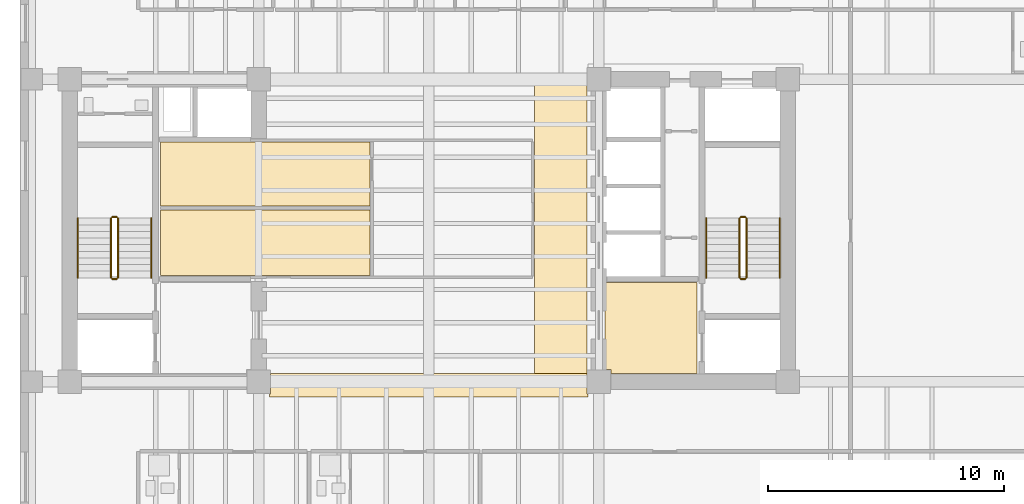
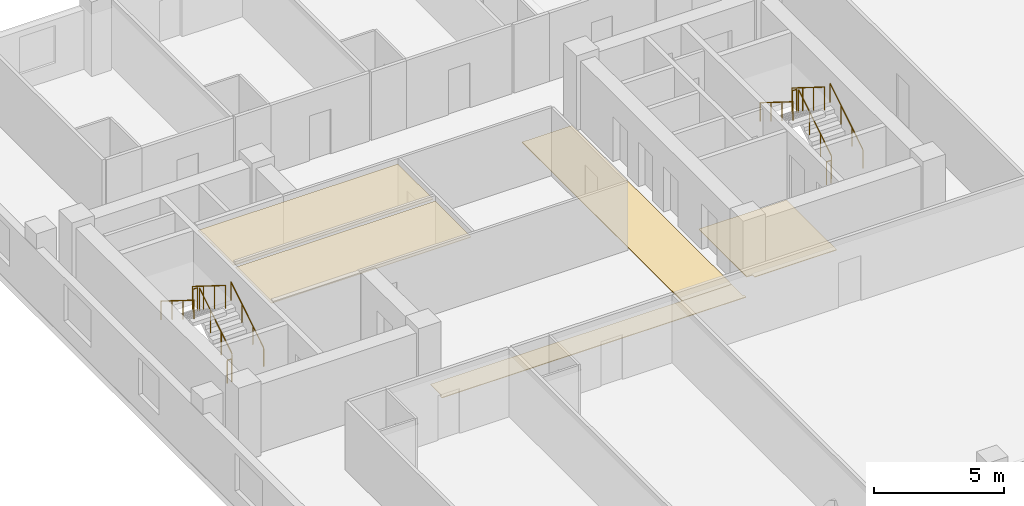
# One storey, part 8 of 10: 12 railings, 5 coverings.
"""IFC4 building model written with IfcOpenShell, lengths in metres."""

from ifc_helpers import new_model, si_unit, direction, frame, origin, origin_2d, place, context, subcontext, project, spatial, polyline, circle, outline, extrude, material, layer, layer_set, type_object, element, save


model = new_model("IFC4")

# Units and contexts
model_context = context("Model", 3, precision=1e-05, world=origin(), true_north=direction((0.0, 1.0)))
body_context = subcontext(model_context, "Body", "Model", "MODEL_VIEW")
ifc_project = project(units=[si_unit("LENGTHUNIT", "METRE"), si_unit("AREAUNIT", "SQUARE_METRE"), si_unit("VOLUMEUNIT", "CUBIC_METRE"), si_unit("PLANEANGLEUNIT", "RADIAN"), si_unit("MASSUNIT", "GRAM", prefix="KILO")], contexts=[model_context])

# Site, building, storey
site_placement = place(None, origin())
site = spatial("IfcSite", under=ifc_project, at=site_placement, CompositionType="ELEMENT")
building_placement = place(site_placement, origin())
building = spatial("IfcBuilding", under=site, at=building_placement, Name="Kranthara Brick Stack", CompositionType="ELEMENT")
storey_placement = place(building_placement, frame((0.0, 0.0, 144.800048828125)))
storey = spatial("IfcBuildingStorey", under=building, at=storey_placement, Name="L36", CompositionType="ELEMENT", Elevation=144.800048828125)

# Coverings
ifc_material_1 = material(Name="Perforated mineral-fibre acoustic ceiling tile", Category="other")
ifc_layer_1 = layer(ifc_material_1, 0.02490234375)
ifc_layer_set_1 = layer_set([ifc_layer_1], Name="Perforated mineral-fibre acoustic ceiling tile")
covering_type_1 = type_object("IfcCoveringType", Name="COV-CEIL-ACOUSTIC", PredefinedType="CEILING", material=ifc_layer_set_1)
covering_1_placement = place(storey_placement, frame((0.0, 0.0, 2.929931640625)))
element("IfcCovering", 1, at=covering_1_placement, inside=storey, type_object=covering_type_1, Name="L36 L36 Hotel Reading Room Acoustic Ceiling", PredefinedType="CEILING", context=body_context, shape_type="SweptSolid", body=[
    extrude(outline(polyline([(25.52001953125, 25.300048828125), (25.52001953125, 28.070068359375), (16.64990234375, 28.070068359375), (16.64990234375, 25.300048828125), (25.52001953125, 25.300048828125)])), origin(), (0.0, 0.0, 1.0), 0.02490234375),
])
covering_2_placement = place(storey_placement, frame((0.0, 0.0, 2.929931640625)))
element("IfcCovering", 2, at=covering_2_placement, inside=storey, type_object=covering_type_1, Name="L36 L36 Hotel Executive Briefing Salon Acoustic Ceiling", PredefinedType="CEILING", context=body_context, shape_type="SweptSolid", body=[
    extrude(outline(polyline([(25.52001953125, 28.22998046875), (25.52001953125, 30.93994140625), (16.64990234375, 30.93994140625), (16.64990234375, 28.22998046875), (25.52001953125, 28.22998046875)])), origin(), (0.0, 0.0, 1.0), 0.02490234375),
])
ifc_material_2 = material(Name="Honed terrazzo and porcelain floor finish", Category="stone")
ifc_layer_2 = layer(ifc_material_2, 0.030029296875)
ifc_layer_set_2 = layer_set([ifc_layer_2], Name="Honed terrazzo and porcelain floor finish")
covering_type_2 = type_object("IfcCoveringType", Name="COV-FLOR-STONE", PredefinedType="FLOORING", material=ifc_layer_set_2)
covering_3_placement = place(storey_placement, origin())
element("IfcCovering", 3, at=covering_3_placement, inside=storey, type_object=covering_type_2, Name="L36 Lift Lobby Stone Flooring", PredefinedType="FLOORING", context=body_context, shape_type="SweptSolid", body=[
    extrude(outline(polyline([(35.449951171875, 25.0), (39.35009765625, 25.0), (39.35009765625, 21.14990234375), (35.7099609375, 21.14990234375), (35.7099609375, 21.31005859375), (35.449951171875, 21.31005859375), (35.449951171875, 25.0)])), origin(), (0.0, 0.0, 1.0), 0.030029296875),
])
covering_4_placement = place(storey_placement, origin())
element("IfcCovering", 4, at=covering_4_placement, inside=storey, type_object=covering_type_2, Name="L36 Lift Lobby Stone Flooring", PredefinedType="FLOORING", context=body_context, shape_type="SweptSolid", body=[
    extrude(outline(polyline([(32.47998046875, 33.449951171875), (34.68994140625, 33.449951171875), (34.68994140625, 33.090087890625), (34.699951171875, 33.090087890625), (34.699951171875, 21.31005859375), (34.68994140625, 21.31005859375), (34.68994140625, 21.14990234375), (32.47998046875, 21.14990234375), (32.47998046875, 33.449951171875)])), origin(), (0.0, 0.0, 1.0), 0.030029296875),
])
covering_5_placement = place(storey_placement, origin())
element("IfcCovering", 5, at=covering_5_placement, inside=storey, type_object=covering_type_2, Name="L36 Lift Lobby Stone Flooring", PredefinedType="FLOORING", context=body_context, shape_type="SweptSolid", body=[
    extrude(outline(polyline([(21.25, 20.2900390625), (21.31005859375, 20.2900390625), (21.31005859375, 21.14990234375), (32.47998046875, 21.14990234375), (34.68994140625, 21.14990234375), (34.68994140625, 20.2900390625), (34.75, 20.2900390625), (34.75, 20.14990234375), (21.25, 20.14990234375), (21.25, 20.2900390625)])), origin(), (0.0, 0.0, 1.0), 0.030029296875),
])

# Railings
ifc_material_3 = material(Name="Painted galvanized steel stair guardrail", Category="steel")
railing_type_1 = type_object("IfcRailingType", Name="RL-STAIR-GUARD-1100", PredefinedType="GUARDRAIL", material=ifc_material_3)
railing_1_placement = place(storey_placement, frame((14.85009765625, 25.199951171875, 0.175048828125)))
element("IfcRailing", 6, at=railing_1_placement, inside=storey, type_object=railing_type_1, Name="L36 ST01 stair guard 1", PredefinedType="GUARDRAIL", context=body_context, shape_type="SweptSolid", body=[
    extrude(circle(Radius=0.02392578125, at=origin_2d()), frame((0.0, 0.0, 1.076171875), z_axis=(0.0, 0.848007534815, 0.529984170421), x_axis=(-1.0, 0.0, 0.0)), (0.0, 0.0, 1.0), 2.9716796875),
    extrude(circle(Radius=0.02099609375, at=origin_2d()), origin(), (0.0, 0.0, 1.0), 1.052001953125),
    extrude(circle(Radius=0.02099609375, at=origin_2d()), frame((0.0, 0.840087890625, 0.52490234375)), (0.0, 0.0, 1.0), 1.052001953125),
    extrude(circle(Radius=0.02099609375, at=origin_2d()), frame((0.0, 1.679931640625, 1.050048828125)), (0.0, 0.0, 1.0), 1.052001953125),
    extrude(circle(Radius=0.02099609375, at=origin_2d()), frame((0.0, 2.52001953125, 1.574951171875)), (0.0, 0.0, 1.0), 1.052001953125),
])
railing_2_placement = place(storey_placement, frame((14.800048828125, 27.77001953125, 1.75)))
element("IfcRailing", 7, at=railing_2_placement, inside=storey, type_object=railing_type_1, Name="L36 ST01 stair guard 2", PredefinedType="GUARDRAIL", context=body_context, shape_type="SweptSolid", body=[
    extrude(circle(Radius=0.02392578125, at=origin_2d()), frame((0.0, 0.0, 1.076171875), z_axis=(-1.0, 0.0, 0.0), x_axis=(0.0, -1.0, 0.0)), (0.0, 0.0, 1.0), 0.199951171875),
    extrude(circle(Radius=0.02099609375, at=origin_2d()), origin(), (0.0, 0.0, 1.0), 1.052001953125),
    extrude(circle(Radius=0.02099609375, at=origin_2d()), frame((-0.199951171875, 0.0, 0.0)), (0.0, 0.0, 1.0), 1.052001953125),
])
railing_3_placement = place(storey_placement, frame((14.550048828125, 27.719970703125, 1.925048828125)))
element("IfcRailing", 8, at=railing_3_placement, inside=storey, type_object=railing_type_1, Name="L36 ST01 stair guard 3", PredefinedType="GUARDRAIL", context=body_context, shape_type="SweptSolid", body=[
    extrude(circle(Radius=0.02392578125, at=origin_2d()), frame((0.0, 0.0, 1.076171875), z_axis=(0.0, -0.848007534815, 0.529984170421), x_axis=(1.0, 0.0, 0.0)), (0.0, 0.0, 1.0), 2.9716796875),
    extrude(circle(Radius=0.02099609375, at=origin_2d()), origin(), (0.0, 0.0, 1.0), 1.052001953125),
    extrude(circle(Radius=0.02099609375, at=origin_2d()), frame((0.0, -0.840087890625, 0.52490234375)), (0.0, 0.0, 1.0), 1.052001953125),
    extrude(circle(Radius=0.02099609375, at=origin_2d()), frame((0.0, -1.679931640625, 1.050048828125)), (0.0, 0.0, 1.0), 1.052001953125),
    extrude(circle(Radius=0.02099609375, at=origin_2d()), frame((0.0, -2.52001953125, 1.574951171875)), (0.0, 0.0, 1.0), 1.052001953125),
])
railing_4_placement = place(storey_placement, frame((14.800048828125, 25.14990234375, 0.0)))
element("IfcRailing", 9, at=railing_4_placement, inside=storey, type_object=railing_type_1, Name="L36 ST01 stair guard 4", PredefinedType="GUARDRAIL", context=body_context, shape_type="SweptSolid", body=[
    extrude(circle(Radius=0.02392578125, at=origin_2d()), frame((0.0, 0.0, 1.076171875), z_axis=(-1.0, 0.0, 0.0), x_axis=(0.0, -1.0, 0.0)), (0.0, 0.0, 1.0), 0.199951171875),
    extrude(circle(Radius=0.02099609375, at=origin_2d()), origin(), (0.0, 0.0, 1.0), 1.052001953125),
    extrude(circle(Radius=0.02099609375, at=origin_2d()), frame((-0.199951171875, 0.0, 0.0)), (0.0, 0.0, 1.0), 1.052001953125),
])
railing_5_placement = place(storey_placement, frame((41.449951171875, 25.199951171875, 0.175048828125)))
element("IfcRailing", 10, at=railing_5_placement, inside=storey, type_object=railing_type_1, Name="L36 ST02 stair guard 1", PredefinedType="GUARDRAIL", context=body_context, shape_type="SweptSolid", body=[
    extrude(circle(Radius=0.02392578125, at=origin_2d()), frame((0.0, 0.0, 1.076171875), z_axis=(0.0, 0.848007534815, 0.529984170421), x_axis=(-1.0, 0.0, 0.0)), (0.0, 0.0, 1.0), 2.9716796875),
    extrude(circle(Radius=0.02099609375, at=origin_2d()), origin(), (0.0, 0.0, 1.0), 1.052001953125),
    extrude(circle(Radius=0.02099609375, at=origin_2d()), frame((0.0, 0.840087890625, 0.52490234375)), (0.0, 0.0, 1.0), 1.052001953125),
    extrude(circle(Radius=0.02099609375, at=origin_2d()), frame((0.0, 1.679931640625, 1.050048828125)), (0.0, 0.0, 1.0), 1.052001953125),
    extrude(circle(Radius=0.02099609375, at=origin_2d()), frame((0.0, 2.52001953125, 1.574951171875)), (0.0, 0.0, 1.0), 1.052001953125),
])
railing_6_placement = place(storey_placement, frame((41.39990234375, 27.77001953125, 1.75)))
element("IfcRailing", 11, at=railing_6_placement, inside=storey, type_object=railing_type_1, Name="L36 ST02 stair guard 2", PredefinedType="GUARDRAIL", context=body_context, shape_type="SweptSolid", body=[
    extrude(circle(Radius=0.02392578125, at=origin_2d()), frame((0.0, 0.0, 1.076171875), z_axis=(-1.0, 0.0, 0.0), x_axis=(0.0, -1.0, 0.0)), (0.0, 0.0, 1.0), 0.199951171875),
    extrude(circle(Radius=0.02099609375, at=origin_2d()), origin(), (0.0, 0.0, 1.0), 1.052001953125),
    extrude(circle(Radius=0.02099609375, at=origin_2d()), frame((-0.199951171875, 0.0, 0.0)), (0.0, 0.0, 1.0), 1.052001953125),
])
railing_7_placement = place(storey_placement, frame((41.14990234375, 27.719970703125, 1.925048828125)))
element("IfcRailing", 12, at=railing_7_placement, inside=storey, type_object=railing_type_1, Name="L36 ST02 stair guard 3", PredefinedType="GUARDRAIL", context=body_context, shape_type="SweptSolid", body=[
    extrude(circle(Radius=0.02392578125, at=origin_2d()), frame((0.0, 0.0, 1.076171875), z_axis=(0.0, -0.848007534815, 0.529984170421), x_axis=(1.0, 0.0, 0.0)), (0.0, 0.0, 1.0), 2.9716796875),
    extrude(circle(Radius=0.02099609375, at=origin_2d()), origin(), (0.0, 0.0, 1.0), 1.052001953125),
    extrude(circle(Radius=0.02099609375, at=origin_2d()), frame((0.0, -0.840087890625, 0.52490234375)), (0.0, 0.0, 1.0), 1.052001953125),
    extrude(circle(Radius=0.02099609375, at=origin_2d()), frame((0.0, -1.679931640625, 1.050048828125)), (0.0, 0.0, 1.0), 1.052001953125),
    extrude(circle(Radius=0.02099609375, at=origin_2d()), frame((0.0, -2.52001953125, 1.574951171875)), (0.0, 0.0, 1.0), 1.052001953125),
])
railing_8_placement = place(storey_placement, frame((41.39990234375, 25.14990234375, 0.0)))
element("IfcRailing", 13, at=railing_8_placement, inside=storey, type_object=railing_type_1, Name="L36 ST02 stair guard 4", PredefinedType="GUARDRAIL", context=body_context, shape_type="SweptSolid", body=[
    extrude(circle(Radius=0.02392578125, at=origin_2d()), frame((0.0, 0.0, 1.076171875), z_axis=(-1.0, 0.0, 0.0), x_axis=(0.0, -1.0, 0.0)), (0.0, 0.0, 1.0), 0.199951171875),
    extrude(circle(Radius=0.02099609375, at=origin_2d()), origin(), (0.0, 0.0, 1.0), 1.052001953125),
    extrude(circle(Radius=0.02099609375, at=origin_2d()), frame((-0.199951171875, 0.0, 0.0)), (0.0, 0.0, 1.0), 1.052001953125),
])
ifc_material_4 = material(Name="Brushed stainless steel tubular handrail", Category="steel")
railing_type_2 = type_object("IfcRailingType", Name="RL-STAIR-HAND-900", PredefinedType="HANDRAIL", material=ifc_material_4)
railing_9_placement = place(storey_placement, frame((16.25, 25.199951171875, 0.175048828125)))
element("IfcRailing", 14, at=railing_9_placement, inside=storey, type_object=railing_type_2, Name="L36 ST01 stair handrail 1", PredefinedType="HANDRAIL", context=body_context, shape_type="SweptSolid", body=[
    extrude(circle(Radius=0.02392578125, at=origin_2d()), frame((0.0, 0.0, 0.8759765625), z_axis=(0.0, 0.848007534815, 0.529984170421), x_axis=(-1.0, 0.0, 0.0)), (0.0, 0.0, 1.0), 2.9716796875),
    extrude(circle(Radius=0.02099609375, at=origin_2d()), origin(), (0.0, 0.0, 1.0), 0.851806640625),
    extrude(circle(Radius=0.02099609375, at=origin_2d()), frame((0.0, 0.840087890625, 0.52490234375)), (0.0, 0.0, 1.0), 0.851806640625),
    extrude(circle(Radius=0.02099609375, at=origin_2d()), frame((0.0, 1.679931640625, 1.050048828125)), (0.0, 0.0, 1.0), 0.851806640625),
    extrude(circle(Radius=0.02099609375, at=origin_2d()), frame((0.0, 2.52001953125, 1.574951171875)), (0.0, 0.0, 1.0), 0.851806640625),
])
railing_10_placement = place(storey_placement, frame((13.14990234375, 27.719970703125, 1.925048828125)))
element("IfcRailing", 15, at=railing_10_placement, inside=storey, type_object=railing_type_2, Name="L36 ST01 stair handrail 2", PredefinedType="HANDRAIL", context=body_context, shape_type="SweptSolid", body=[
    extrude(circle(Radius=0.02392578125, at=origin_2d()), frame((0.0, 0.0, 0.8759765625), z_axis=(0.0, -0.848007534815, 0.529984170421), x_axis=(1.0, 0.0, 0.0)), (0.0, 0.0, 1.0), 2.9716796875),
    extrude(circle(Radius=0.02099609375, at=origin_2d()), origin(), (0.0, 0.0, 1.0), 0.851806640625),
    extrude(circle(Radius=0.02099609375, at=origin_2d()), frame((0.0, -0.840087890625, 0.52490234375)), (0.0, 0.0, 1.0), 0.851806640625),
    extrude(circle(Radius=0.02099609375, at=origin_2d()), frame((0.0, -1.679931640625, 1.050048828125)), (0.0, 0.0, 1.0), 0.851806640625),
    extrude(circle(Radius=0.02099609375, at=origin_2d()), frame((0.0, -2.52001953125, 1.574951171875)), (0.0, 0.0, 1.0), 0.851806640625),
])
railing_11_placement = place(storey_placement, frame((42.85009765625, 25.199951171875, 0.175048828125)))
element("IfcRailing", 16, at=railing_11_placement, inside=storey, type_object=railing_type_2, Name="L36 ST02 stair handrail 1", PredefinedType="HANDRAIL", context=body_context, shape_type="SweptSolid", body=[
    extrude(circle(Radius=0.02392578125, at=origin_2d()), frame((0.0, 0.0, 0.8759765625), z_axis=(0.0, 0.848007534815, 0.529984170421), x_axis=(-1.0, 0.0, 0.0)), (0.0, 0.0, 1.0), 2.9716796875),
    extrude(circle(Radius=0.02099609375, at=origin_2d()), origin(), (0.0, 0.0, 1.0), 0.851806640625),
    extrude(circle(Radius=0.02099609375, at=origin_2d()), frame((0.0, 0.840087890625, 0.52490234375)), (0.0, 0.0, 1.0), 0.851806640625),
    extrude(circle(Radius=0.02099609375, at=origin_2d()), frame((0.0, 1.679931640625, 1.050048828125)), (0.0, 0.0, 1.0), 0.851806640625),
    extrude(circle(Radius=0.02099609375, at=origin_2d()), frame((0.0, 2.52001953125, 1.574951171875)), (0.0, 0.0, 1.0), 0.851806640625),
])
railing_12_placement = place(storey_placement, frame((39.75, 27.719970703125, 1.925048828125)))
element("IfcRailing", 17, at=railing_12_placement, inside=storey, type_object=railing_type_2, Name="L36 ST02 stair handrail 2", PredefinedType="HANDRAIL", context=body_context, shape_type="SweptSolid", body=[
    extrude(circle(Radius=0.02392578125, at=origin_2d()), frame((0.0, 0.0, 0.8759765625), z_axis=(0.0, -0.848007534815, 0.529984170421), x_axis=(1.0, 0.0, 0.0)), (0.0, 0.0, 1.0), 2.9716796875),
    extrude(circle(Radius=0.02099609375, at=origin_2d()), origin(), (0.0, 0.0, 1.0), 0.851806640625),
    extrude(circle(Radius=0.02099609375, at=origin_2d()), frame((0.0, -0.840087890625, 0.52490234375)), (0.0, 0.0, 1.0), 0.851806640625),
    extrude(circle(Radius=0.02099609375, at=origin_2d()), frame((0.0, -1.679931640625, 1.050048828125)), (0.0, 0.0, 1.0), 0.851806640625),
    extrude(circle(Radius=0.02099609375, at=origin_2d()), frame((0.0, -2.52001953125, 1.574951171875)), (0.0, 0.0, 1.0), 0.851806640625),
])

save(model, "model.ifc")
